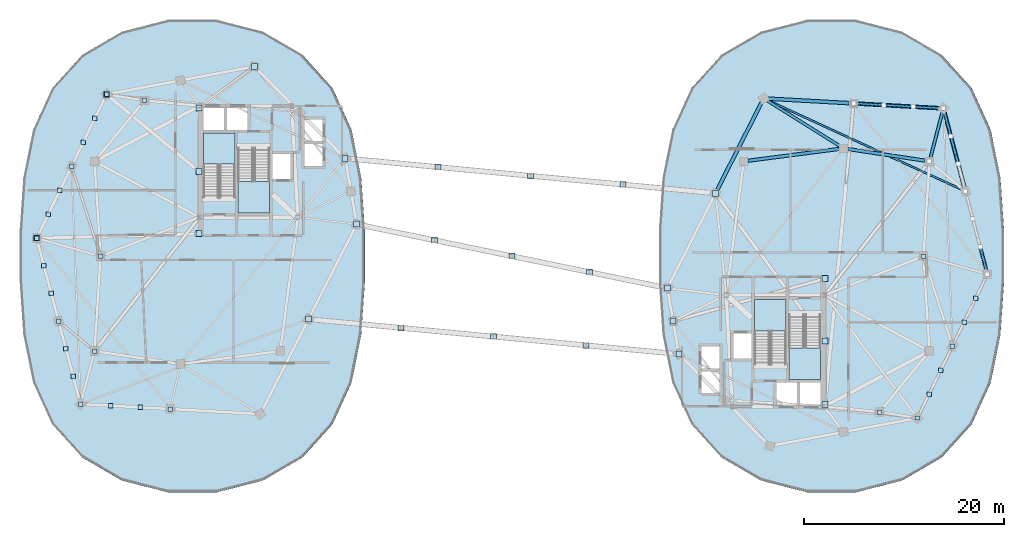
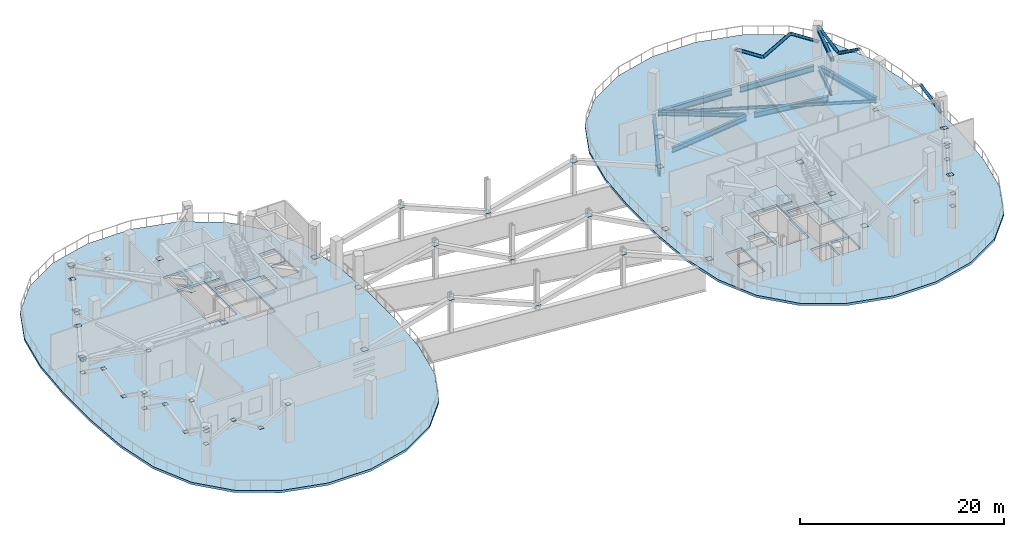
# One storey, part 6 of 16: 65 plates, 9 beams, 7 members, 6 slabs, 4 elements without a shape of their own.
"""IFC4 building model written with IfcOpenShell, lengths in metres."""

from ifc_helpers import new_model, si_unit, direction, frame, origin, origin_2d, place, context, subcontext, project, spatial, polyline, rectangle, hollow_rectangle, hollow_circle, i_section, outline, extrude, material, layer, layer_set, material_profile, profile_set, type_object, element, aggregate, save


model = new_model("IFC4")

# Units and contexts
model_context = context("Model", 3, precision=1e-05, world=origin(), true_north=direction((0.0, 1.0)))
body_context = subcontext(model_context, "Body", "Model", "MODEL_VIEW")
ifc_project = project(units=[si_unit("LENGTHUNIT", "METRE"), si_unit("AREAUNIT", "SQUARE_METRE"), si_unit("VOLUMEUNIT", "CUBIC_METRE"), si_unit("PLANEANGLEUNIT", "RADIAN"), si_unit("MASSUNIT", "GRAM", prefix="KILO"), si_unit("THERMODYNAMICTEMPERATUREUNIT", "KELVIN"), si_unit("POWERUNIT", "WATT")], contexts=[model_context])

# Site, building, storey
site_placement = place(None, origin())
site = spatial("IfcSite", under=ifc_project, at=site_placement, CompositionType="ELEMENT")
building_placement = place(site_placement, origin())
building = spatial("IfcBuilding", under=site, at=building_placement, Name="Cundina Bronze Exchange", CompositionType="ELEMENT")
storey_placement = place(building_placement, frame((0.0, 0.0, 235.0)))
storey = spatial("IfcBuildingStorey", under=building, at=storey_placement, Name="L62", CompositionType="ELEMENT", Elevation=235.0)

# Beams
ifc_material_1 = material(Name="Steel ASTM A992 Grade 50", Category="steel")
ifc_material_profile_1 = material_profile(ifc_material_1, i_section(OverallWidth=0.280029296875, OverallDepth=0.462890625, WebThickness=0.0107421875, FlangeThickness=0.017333984375, FilletRadius=0.011962890625, at=origin_2d()), Name="W18X76", Category="steel")
ifc_profile_set_1 = profile_set([ifc_material_profile_1], Name="Steel ASTM A992 Grade 50")
beam_type_1 = type_object("IfcBeamType", Name="BM-FLR-W18A", PredefinedType="BEAM", material=ifc_profile_set_1)
beam_1_placement = place(storey_placement, frame((41.911865234375, 9.923583984375, -0.511474609375), z_axis=(0.255398602339, 0.96683584642, 0.0), x_axis=(-0.96683584642, 0.255398602339, 0.0)))
element("IfcBeam", 1, at=beam_1_placement, inside=storey, type_object=beam_type_1, Name="L62 Leg E Chordal Floor Beam 10", PredefinedType="BEAM", context=body_context, shape_type="SweptSolid", body=[
    extrude(i_section(OverallWidth=0.280029296875, OverallDepth=0.462890625, WebThickness=0.0107421875, FlangeThickness=0.017333984375, FilletRadius=0.011962890625, at=origin_2d()), origin(), (0.0, 0.0, 1.0), 4.605712890625),
])
beam_2_placement = place(storey_placement, frame((32.82861328125, 11.031982421875, -0.511474609375), z_axis=(-0.847995098703, 0.530004068452, 0.0), x_axis=(-0.530004068452, -0.847995098703, 0.0)))
element("IfcBeam", 2, at=beam_2_placement, inside=storey, type_object=beam_type_1, Name="L62 Leg E Chordal Floor Beam 12", PredefinedType="BEAM", context=body_context, shape_type="SweptSolid", body=[
    extrude(i_section(OverallWidth=0.280029296875, OverallDepth=0.462890625, WebThickness=0.0107421875, FlangeThickness=0.017333984375, FilletRadius=0.011962890625, at=origin_2d()), origin(), (0.0, 0.0, 1.0), 8.55810546875),
])
ifc_material_profile_2 = material_profile(ifc_material_1, i_section(OverallWidth=0.172119140625, OverallDepth=0.35791015625, WebThickness=0.0078125, FlangeThickness=0.01318359375, FilletRadius=0.010009765625, at=origin_2d()), Name="W14X38", Category="steel")
ifc_profile_set_2 = profile_set([ifc_material_profile_2], Name="Steel ASTM A992 Grade 50")
beam_type_2 = type_object("IfcBeamType", Name="BM-JST-W14", PredefinedType="JOIST", material=ifc_profile_set_2)
beam_3_placement = place(storey_placement, frame((45.002197265625, 6.68310546875, -0.458984375), z_axis=(-0.908355026127, 0.418199888224, 0.0), x_axis=(-0.418199888224, -0.908355026127, 0.0)))
element("IfcBeam", 3, at=beam_3_placement, inside=storey, type_object=beam_type_2, Name="L62 Leg E Lobe Floor Joist 09-12", PredefinedType="JOIST", context=body_context, shape_type="SweptSolid", body=[
    extrude(i_section(OverallWidth=0.172119140625, OverallDepth=0.35791015625, WebThickness=0.0078125, FlangeThickness=0.01318359375, FilletRadius=0.010009765625, at=origin_2d()), origin(), (0.0, 0.0, 1.0), 21.362060546875),
])
ifc_material_profile_3 = material_profile(ifc_material_1, i_section(OverallWidth=0.324951171875, OverallDepth=0.615966796875, WebThickness=0.013916015625, FlangeThickness=0.021484375, FilletRadius=0.01611328125, at=origin_2d()), Name="W24X117", Category="steel")
ifc_profile_set_3 = profile_set([ifc_material_profile_3], Name="Steel ASTM A992 Grade 50")
beam_type_3 = type_object("IfcBeamType", Name="BM-RING-W24", PredefinedType="USERDEFINED", material=ifc_profile_set_3)
beam_4_placement = place(storey_placement, frame((41.366943359375, 9.5654296875, -0.587890625), z_axis=(-0.988764903598, 0.149478979839, 0.0), x_axis=(-0.149478979839, -0.988764903598, 0.0)))
element("IfcBeam", 4, at=beam_4_placement, inside=storey, type_object=beam_type_3, Name="L62 E Inner Structural Ring Girder 05", ObjectType="GIRDER", PredefinedType="USERDEFINED", context=body_context, shape_type="SweptSolid", body=[
    extrude(i_section(OverallWidth=0.324951171875, OverallDepth=0.615966796875, WebThickness=0.013916015625, FlangeThickness=0.021484375, FilletRadius=0.01611328125, at=origin_2d()), origin(), (0.0, 0.0, 1.0), 7.82177734375),
])
beam_5_placement = place(storey_placement, frame((32.765625, 10.743408203125, -0.587890625), z_axis=(-0.991656498582, -0.128908451316, 0.0), x_axis=(0.128908451316, -0.991656498582, 0.0)))
element("IfcBeam", 5, at=beam_5_placement, inside=storey, type_object=beam_type_3, Name="L62 E Inner Structural Ring Girder 06", ObjectType="GIRDER", PredefinedType="USERDEFINED", context=body_context, shape_type="SweptSolid", body=[
    extrude(i_section(OverallWidth=0.324951171875, OverallDepth=0.615966796875, WebThickness=0.013916015625, FlangeThickness=0.021484375, FilletRadius=0.01611328125, at=origin_2d()), origin(), (0.0, 0.0, 1.0), 9.208251953125),
])
ifc_material_profile_4 = material_profile(ifc_material_1, i_section(OverallWidth=0.35498046875, OverallDepth=0.695068359375, WebThickness=0.015380859375, FlangeThickness=0.02490234375, FilletRadius=0.01806640625, at=origin_2d()), Name="W27X146", Category="steel")
ifc_profile_set_4 = profile_set([ifc_material_profile_4], Name="Steel ASTM A992 Grade 50")
beam_type_4 = type_object("IfcBeamType", Name="BM-RING-W27", PredefinedType="USERDEFINED", material=ifc_profile_set_4)
beam_6_placement = place(storey_placement, frame((45.287841796875, 6.92333984375, -0.62744140625), z_axis=(-0.256211934474, 0.966620631185, 0.0), x_axis=(-0.966620631185, -0.256211934474, 0.0)))
element("IfcBeam", 6, at=beam_6_placement, inside=storey, type_object=beam_type_4, Name="L62 E Perimeter Ring Girder 09", ObjectType="GIRDER", PredefinedType="USERDEFINED", context=body_context, shape_type="SweptSolid", body=[
    extrude(i_section(OverallWidth=0.35498046875, OverallDepth=0.695068359375, WebThickness=0.015380859375, FlangeThickness=0.02490234375, FilletRadius=0.01806640625, at=origin_2d()), origin(), (0.0, 0.0, 1.0), 7.710693359375),
])
for number, where, z_axis, x_axis, name in (
    (7, (42.7626953125, 14.82421875, -0.62744140625), (-0.998460353205, 0.055470019623, 0.0), (-0.055470019623, -0.998460353205, 0.0), "L62 E Perimeter Ring Girder 10"),
    (8, (33.7626953125, 15.32421875, -0.62744140625), (-0.998460353205, 0.055470019623, 0.0), (-0.055470019623, -0.998460353205, 0.0), "L62 E Perimeter Ring Girder 11"),
):
    element("IfcBeam", number, at=place(storey_placement, frame(where, z_axis=z_axis, x_axis=x_axis)), inside=storey, type_object=beam_type_4, Name=name, ObjectType="GIRDER", PredefinedType="USERDEFINED", context=body_context, shape_type="SweptSolid", body=[
        extrude(i_section(OverallWidth=0.35498046875, OverallDepth=0.695068359375, WebThickness=0.015380859375, FlangeThickness=0.02490234375, FilletRadius=0.01806640625, at=origin_2d()), origin(), (0.0, 0.0, 1.0), 8.137939453125),
    ])
beam_7_placement = place(storey_placement, frame((25.001708984375, 15.409423828125, -0.62744140625), z_axis=(-0.452846871434, -0.891588308039, 0.0), x_axis=(0.891588308039, -0.452846871434, 0.0)))
element("IfcBeam", 9, at=beam_7_placement, inside=storey, type_object=beam_type_4, Name="L62 E Perimeter Ring Girder 12", ObjectType="GIRDER", PredefinedType="USERDEFINED", context=body_context, shape_type="SweptSolid", body=[
    extrude(i_section(OverallWidth=0.35498046875, OverallDepth=0.695068359375, WebThickness=0.015380859375, FlangeThickness=0.02490234375, FilletRadius=0.01806640625, at=origin_2d()), origin(), (0.0, 0.0, 1.0), 9.779052734375),
])

# Members
ifc_material_2 = material(Name="Steel ASTM A500 Grade C", Category="steel")
ifc_material_profile_5 = material_profile(ifc_material_2, hollow_circle(Radius=0.162109375, WallThickness=0.01611328125, at=origin_2d()), Name="CHS324X16", Category="steel")
ifc_profile_set_5 = profile_set([ifc_material_profile_5], Name="Steel ASTM A500 Grade C")
member_type_1 = type_object("IfcMemberType", Name="MBR-BLT-CHS324", PredefinedType="BRACE", material=ifc_profile_set_5)
member_1_placement = place(storey_placement, frame((47.60009765625, -1.800048828125, 2.409912109375), z_axis=(-0.213809470648, 0.806625409736, 0.551036258906), x_axis=(-0.966618915213, -0.256218408303, 0.0)))
element("IfcMember", 10, at=member_1_placement, inside=storey, type_object=member_type_1, Name="L62 E Perimeter Belt M-Truss Diagonal 1A", PredefinedType="BRACE", context=body_context, shape_type="SweptSolid", body=[
    extrude(hollow_circle(Radius=0.162109375, WallThickness=0.01611328125, at=origin_2d()), origin(), (0.0, 0.0, 1.0), 3.43017578125),
])
member_2_placement = place(storey_placement, frame((44.666748046875, 9.2666015625, 4.300048828125), z_axis=(-0.213821746286, 0.806600542248, -0.551067896054), x_axis=(-0.966613315255, -0.256239533977, 0.0)))
element("IfcMember", 11, at=member_2_placement, inside=storey, type_object=member_type_1, Name="L62 E Perimeter Belt M-Truss Diagonal 3B", PredefinedType="BRACE", context=body_context, shape_type="SweptSolid", body=[
    extrude(hollow_circle(Radius=0.162109375, WallThickness=0.01611328125, at=origin_2d()), origin(), (0.0, 0.0, 1.0), 3.429931640625),
])
member_3_placement = place(storey_placement, frame((43.933349609375, 12.033203125, 2.409912109375), z_axis=(-0.213809470648, 0.806625409736, 0.551036258906), x_axis=(-0.966618915213, -0.256218408303, 0.0)))
element("IfcMember", 12, at=member_3_placement, inside=storey, type_object=member_type_1, Name="L62 E Perimeter Belt M-Truss Diagonal 3C", PredefinedType="BRACE", context=body_context, shape_type="SweptSolid", body=[
    extrude(hollow_circle(Radius=0.162109375, WallThickness=0.01611328125, at=origin_2d()), origin(), (0.0, 0.0, 1.0), 3.43017578125),
])
for number, where, z_axis, x_axis, name in (
    (13, (43.199951171875, 14.800048828125, 2.409912109375), (-0.845140111269, 0.046975154297, 0.5324767856), (-0.055497021194, -0.998458852752, 0.0), "L62 E Perimeter Belt M-Truss Diagonal 5A"),
    (14, (40.199951171875, 14.966796875, 4.300048828125), (-0.845142839798, 0.046906528055, -0.532478504697), (-0.055416016115, -0.998463351935, 0.0), "L62 E Perimeter Belt M-Truss Diagonal 5B"),
    (15, (37.199951171875, 15.13330078125, 2.409912109375), (-0.845140111269, 0.046975154297, 0.5324767856), (-0.055497021194, -0.998458852752, 0.0), "L62 E Perimeter Belt M-Truss Diagonal 5C"),
):
    element("IfcMember", number, at=place(storey_placement, frame(where, z_axis=z_axis, x_axis=x_axis)), inside=storey, type_object=member_type_1, Name=name, PredefinedType="BRACE", context=body_context, shape_type="SweptSolid", body=[
        extrude(hollow_circle(Radius=0.162109375, WallThickness=0.01611328125, at=origin_2d()), origin(), (0.0, 0.0, 1.0), 3.5498046875),
    ])
ifc_material_profile_6 = material_profile(ifc_material_2, hollow_rectangle(XDim=0.300048828125, YDim=0.300048828125, WallThickness=0.01611328125, at=origin_2d()), Name="HSS300X300X16", Category="steel")
ifc_profile_set_6 = profile_set([ifc_material_profile_6], Name="Steel ASTM A500 Grade C")
member_type_2 = type_object("IfcMemberType", Name="MBR-BLT-HSS300", PredefinedType="STRUT", material=ifc_profile_set_6)
member_4_placement = place(storey_placement, frame((41.800048828125, 9.5, 3.889892578125), z_axis=(0.255372270734, 0.966842801773, 0.0), x_axis=(-0.966842801773, 0.255372270734, 0.0)))
element("IfcMember", 16, at=member_4_placement, inside=storey, type_object=member_type_2, Name="L62 E Outrigger Collector Strut 5", PredefinedType="STRUT", context=body_context, shape_type="SweptSolid", body=[
    extrude(hollow_rectangle(XDim=0.300048828125, YDim=0.300048828125, WallThickness=0.01611328125, at=origin_2d()), origin(), (0.0, 0.0, 1.0), 5.481689453125),
])

# Plates
ifc_material_3 = material(Name="Steel ASTM A572 Grade 50", Category="steel")
ifc_layer_1 = layer(ifc_material_3, 0.02001953125, Name="Steel ASTM A572 Grade 50", Category="steel")
ifc_layer_set_1 = layer_set([ifc_layer_1], Name="Steel ASTM A572 Grade 50")
plate_type_1 = type_object("IfcPlateType", Name="PLT-CAP-STL20", PredefinedType="USERDEFINED", material=ifc_layer_set_1)
for number, where, z_axis, x_axis, name in (
    (17, (-47.60009765625, 1.800048828125, 2.39990234375), (0.0, 0.0, 1.0), (1.0, 0.0, 0.0), "L62 W Perimeter Belt M-Truss Diagonal 1A End Cap Plate 1"),
    (18, (-46.86669921875, -0.966796875, 4.2900390625), (0.0, 0.0, 1.0), (1.0, 0.0, 0.0), "L62 W Perimeter Belt M-Truss Diagonal 1A End Cap Plate 2"),
    (19, (-46.13330078125, -3.7333984375, 2.39990234375), (0.0, 0.0, 1.0), (1.0, 0.0, 0.0), "L62 W Perimeter Belt M-Truss Diagonal 1B End Cap Plate 2"),
    (20, (-45.39990234375, -6.5, 4.2900390625), (0.0, 0.0, 1.0), (1.0, 0.0, 0.0), "L62 W Perimeter Belt M-Truss Diagonal 1C End Cap Plate 2"),
    (21, (-41.199951171875, 0.0, 3.8798828125), (0.0, 0.0, 1.0), (1.0, 0.0, 0.0), "L62 W Outrigger Collector Strut 1 End Cap Plate 1"),
    (22, (-47.60009765625, 1.800048828125, 3.8798828125), (0.0, 0.0, 1.0), (1.0, 0.0, 0.0), "L62 W Outrigger Collector Strut 1 End Cap Plate 2"),
    (23, (-44.10009765625, 9.0, 2.39990234375), (0.0, 0.0, 1.0), (1.0, 0.0, 0.0), "L62 W Perimeter Belt M-Truss Diagonal 2A End Cap Plate 1"),
    (24, (-45.2666015625, 6.60009765625, 4.2900390625), (0.0, 0.0, 1.0), (1.0, 0.0, 0.0), "L62 W Perimeter Belt M-Truss Diagonal 2A End Cap Plate 2"),
    (25, (-46.433349609375, 4.199951171875, 2.39990234375), (0.0, 0.0, 1.0), (1.0, 0.0, 0.0), "L62 W Perimeter Belt M-Truss Diagonal 2B End Cap Plate 2"),
    (26, (-47.60009765625, 1.800048828125, 4.2900390625), (0.0, 0.0, 1.0), (1.0, 0.0, 0.0), "L62 W Perimeter Belt M-Truss Diagonal 2C End Cap Plate 2"),
    (27, (-44.10009765625, 9.0, 3.8798828125), (0.0, 0.0, 1.0), (1.0, 0.0, 0.0), "L62 W Outrigger Collector Strut 2 End Cap Plate 2"),
    (28, (-45.39990234375, -6.5, 2.39990234375), (0.0, 0.0, 1.0), (1.0, 0.0, 0.0), "L62 W Perimeter Belt M-Truss Diagonal 3A End Cap Plate 1"),
    (29, (-44.666748046875, -9.2666015625, 4.2900390625), (0.0, 0.0, 1.0), (1.0, 0.0, 0.0), "L62 W Perimeter Belt M-Truss Diagonal 3A End Cap Plate 2"),
    (30, (-43.933349609375, -12.033203125, 2.39990234375), (0.0, 0.0, 1.0), (1.0, 0.0, 0.0), "L62 W Perimeter Belt M-Truss Diagonal 3B End Cap Plate 2"),
    (31, (-43.199951171875, -14.800048828125, 4.2900390625), (0.0, 0.0, 1.0), (1.0, 0.0, 0.0), "L62 W Perimeter Belt M-Truss Diagonal 3C End Cap Plate 2"),
    (32, (-41.800048828125, -9.5, 3.8798828125), (0.0, 0.0, 1.0), (1.0, 0.0, 0.0), "L62 W Outrigger Collector Strut 3 End Cap Plate 1"),
    (33, (-45.39990234375, -6.5, 3.8798828125), (0.0, 0.0, 1.0), (1.0, 0.0, 0.0), "L62 W Outrigger Collector Strut 3 End Cap Plate 2"),
    (34, (-40.60009765625, 16.199951171875, 2.39990234375), (0.0, 0.0, 1.0), (1.0, 0.0, 0.0), "L62 W Perimeter Belt M-Truss Diagonal 4A End Cap Plate 1"),
    (35, (-41.7666015625, 13.800048828125, 4.2900390625), (0.0, 0.0, 1.0), (1.0, 0.0, 0.0), "L62 W Perimeter Belt M-Truss Diagonal 4A End Cap Plate 2"),
    (36, (-42.933349609375, 11.39990234375, 2.39990234375), (0.0, 0.0, 1.0), (1.0, 0.0, 0.0), "L62 W Perimeter Belt M-Truss Diagonal 4B End Cap Plate 2"),
    (37, (-44.10009765625, 9.0, 4.2900390625), (0.0, 0.0, 1.0), (1.0, 0.0, 0.0), "L62 W Perimeter Belt M-Truss Diagonal 4C End Cap Plate 2"),
    (38, (-36.800048828125, 15.60009765625, 3.8798828125), (0.0, 0.0, 1.0), (1.0, 0.0, 0.0), "L62 W Outrigger Collector Strut 4 End Cap Plate 1"),
    (39, (-40.60009765625, 16.199951171875, 3.8798828125), (0.0, 0.0, 1.0), (1.0, 0.0, 0.0), "L62 W Outrigger Collector Strut 4 End Cap Plate 2"),
    (40, (-43.199951171875, -14.800048828125, 2.39990234375), (0.0, 0.0, 1.0), (1.0, 0.0, 0.0), "L62 W Perimeter Belt M-Truss Diagonal 5A End Cap Plate 1"),
    (41, (-40.199951171875, -14.966796875, 4.2900390625), (0.0, 0.0, 1.0), (1.0, 0.0, 0.0), "L62 W Perimeter Belt M-Truss Diagonal 5A End Cap Plate 2"),
    (42, (-37.199951171875, -15.13330078125, 2.39990234375), (0.0, 0.0, 1.0), (1.0, 0.0, 0.0), "L62 W Perimeter Belt M-Truss Diagonal 5B End Cap Plate 2"),
    (43, (-34.199951171875, -15.300048828125, 4.2900390625), (0.0, 0.0, 1.0), (1.0, 0.0, 0.0), "L62 W Perimeter Belt M-Truss Diagonal 5C End Cap Plate 2"),
    (44, (-43.199951171875, -14.800048828125, 3.8798828125), (0.0, 0.0, 1.0), (1.0, 0.0, 0.0), "L62 W Outrigger Collector Strut 5 End Cap Plate 2"),
    (45, (41.199951171875, 0.0, 3.8798828125), (0.0, 0.0, 1.0), (1.0, 0.0, 0.0), "L62 E Outrigger Collector Strut 1 End Cap Plate 1"),
    (46, (44.10009765625, -9.0, 2.39990234375), (0.0, 0.0, 1.0), (1.0, 0.0, 0.0), "L62 E Perimeter Belt M-Truss Diagonal 2A End Cap Plate 1"),
    (47, (45.2666015625, -6.60009765625, 4.2900390625), (0.0, 0.0, 1.0), (1.0, 0.0, 0.0), "L62 E Perimeter Belt M-Truss Diagonal 2A End Cap Plate 2"),
    (48, (46.433349609375, -4.199951171875, 2.39990234375), (0.0, 0.0, 1.0), (1.0, 0.0, 0.0), "L62 E Perimeter Belt M-Truss Diagonal 2B End Cap Plate 2"),
    (49, (44.10009765625, -9.0, 3.8798828125), (0.0, 0.0, 1.0), (1.0, 0.0, 0.0), "L62 E Outrigger Collector Strut 2 End Cap Plate 2"),
    (50, (40.60009765625, -16.199951171875, 2.39990234375), (0.0, 0.0, 1.0), (1.0, 0.0, 0.0), "L62 E Perimeter Belt M-Truss Diagonal 4A End Cap Plate 1"),
    (51, (41.7666015625, -13.800048828125, 4.2900390625), (0.0, 0.0, 1.0), (1.0, 0.0, 0.0), "L62 E Perimeter Belt M-Truss Diagonal 4A End Cap Plate 2"),
    (52, (42.933349609375, -11.39990234375, 2.39990234375), (0.0, 0.0, 1.0), (1.0, 0.0, 0.0), "L62 E Perimeter Belt M-Truss Diagonal 4B End Cap Plate 2"),
    (53, (44.10009765625, -9.0, 4.2900390625), (0.0, 0.0, 1.0), (1.0, 0.0, 0.0), "L62 E Perimeter Belt M-Truss Diagonal 4C End Cap Plate 2"),
    (54, (36.800048828125, -15.60009765625, 3.8798828125), (0.0, 0.0, 1.0), (1.0, 0.0, 0.0), "L62 E Outrigger Collector Strut 4 End Cap Plate 1"),
    (55, (40.60009765625, -16.199951171875, 3.8798828125), (0.0, 0.0, 1.0), (1.0, 0.0, 0.0), "L62 E Outrigger Collector Strut 4 End Cap Plate 2"),
):
    element("IfcPlate", number, at=place(storey_placement, frame(where, z_axis=z_axis, x_axis=x_axis)), inside=storey, type_object=plate_type_1, Name=name, ObjectType="STIFFENER_PLATE", PredefinedType="USERDEFINED", context=body_context, shape_type="SweptSolid", body=[
        extrude(rectangle(XDim=0.449951171875, YDim=0.449951171875, at=origin_2d()), origin(), (0.0, 0.0, 1.0), 0.02001953125),
    ])
ifc_layer_2 = layer(ifc_material_3, 0.02490234375, Name="Steel ASTM A572 Grade 50", Category="steel")
ifc_layer_set_2 = layer_set([ifc_layer_2], Name="Steel ASTM A572 Grade 50")
plate_type_2 = type_object("IfcPlateType", Name="PLT-CAP-STL25", PredefinedType="USERDEFINED", material=ifc_layer_set_2)
for number, where, z_axis, x_axis, name in (
    (56, (-31.35009765625, 14.85009765625, 2.4375), (0.0, 0.0, 1.0), (1.0, 0.0, 0.0), "L62 W Outrigger Truss Diagonal 1 End Cap Plate 1"),
    (57, (-25.800048828125, 19.0, 4.12744140625), (0.0, 0.0, 1.0), (1.0, 0.0, 0.0), "L62 W Outrigger Truss Diagonal 1 End Cap Plate 2"),
    (58, (-31.35009765625, 8.5, 2.4375), (0.0, 0.0, 1.0), (1.0, 0.0, 0.0), "L62 W Outrigger Truss Diagonal 2 End Cap Plate 1"),
    (59, (-40.60009765625, 16.199951171875, 4.12744140625), (0.0, 0.0, 1.0), (1.0, 0.0, 0.0), "L62 W Outrigger Truss Diagonal 2 End Cap Plate 2"),
    (60, (-31.35009765625, 2.25, 2.4375), (0.0, 0.0, 1.0), (1.0, 0.0, 0.0), "L62 W Outrigger Truss Diagonal 3 End Cap Plate 1"),
    (61, (-47.60009765625, 1.800048828125, 4.12744140625), (0.0, 0.0, 1.0), (1.0, 0.0, 0.0), "L62 W Outrigger Truss Diagonal 3 End Cap Plate 2"),
    (62, (31.35009765625, -14.85009765625, 2.4375), (0.0, 0.0, 1.0), (1.0, 0.0, 0.0), "L62 E Outrigger Truss Diagonal 1 End Cap Plate 1"),
    (63, (31.35009765625, -8.5, 2.4375), (0.0, 0.0, 1.0), (1.0, 0.0, 0.0), "L62 E Outrigger Truss Diagonal 2 End Cap Plate 1"),
    (64, (20.375, 6.300048828125, 4.12744140625), (0.0, 0.0, 1.0), (1.0, 0.0, 0.0), "L62 E Outrigger Truss Diagonal 2 End Cap Plate 2"),
    (65, (31.35009765625, -2.25, 2.4375), (0.0, 0.0, 1.0), (1.0, 0.0, 0.0), "L62 E Outrigger Truss Diagonal 3 End Cap Plate 1"),
    (66, (16.125, -6.5, 4.12744140625), (0.0, 0.0, 1.0), (1.0, 0.0, 0.0), "L62 E Outrigger Truss Diagonal 3 End Cap Plate 2"),
    (67, (-20.375, -6.300048828125, 0.53759765625), (0.0, 0.0, 1.0), (1.0, 0.0, 0.0), "L62 Sky-Gate Warren Truss Diagonal Y1-P1 End Cap Plate 1"),
    (68, (-11.106201171875, -7.175048828125, 3.91748046875), (0.0, 0.0, 1.0), (1.0, 0.0, 0.0), "L62 Sky-Gate Warren Truss Diagonal Y1-P1 End Cap Plate 2"),
    (69, (-1.83740234375, -8.050048828125, 0.53759765625), (0.0, 0.0, 1.0), (1.0, 0.0, 0.0), "L62 Sky-Gate Warren Truss Diagonal Y1-P2 End Cap Plate 2"),
    (70, (7.431396484375, -8.925048828125, 3.91748046875), (0.0, 0.0, 1.0), (1.0, 0.0, 0.0), "L62 Sky-Gate Warren Truss Diagonal Y1-P3 End Cap Plate 2"),
    (71, (16.699951171875, -9.800048828125, 0.53759765625), (0.0, 0.0, 1.0), (1.0, 0.0, 0.0), "L62 Sky-Gate Warren Truss Diagonal Y1-P4 End Cap Plate 2"),
    (72, (-15.550048828125, 3.199951171875, 0.53759765625), (0.0, 0.0, 1.0), (1.0, 0.0, 0.0), "L62 Sky-Gate Warren Truss Diagonal Y2-P1 End Cap Plate 1"),
    (73, (-7.77490234375, 1.60009765625, 3.91748046875), (0.0, 0.0, 1.0), (1.0, 0.0, 0.0), "L62 Sky-Gate Warren Truss Diagonal Y2-P1 End Cap Plate 2"),
    (74, (0.0, 0.0, 0.53759765625), (0.0, 0.0, 1.0), (1.0, 0.0, 0.0), "L62 Sky-Gate Warren Truss Diagonal Y2-P2 End Cap Plate 2"),
    (75, (7.77490234375, -1.60009765625, 3.91748046875), (0.0, 0.0, 1.0), (1.0, 0.0, 0.0), "L62 Sky-Gate Warren Truss Diagonal Y2-P3 End Cap Plate 2"),
    (76, (15.550048828125, -3.199951171875, 0.53759765625), (0.0, 0.0, 1.0), (1.0, 0.0, 0.0), "L62 Sky-Gate Warren Truss Diagonal Y2-P4 End Cap Plate 2"),
    (77, (-16.699951171875, 9.800048828125, 0.53759765625), (0.0, 0.0, 1.0), (1.0, 0.0, 0.0), "L62 Sky-Gate Warren Truss Diagonal Y3-P1 End Cap Plate 1"),
    (78, (-7.43115234375, 8.925048828125, 3.91748046875), (0.0, 0.0, 1.0), (1.0, 0.0, 0.0), "L62 Sky-Gate Warren Truss Diagonal Y3-P1 End Cap Plate 2"),
    (79, (1.83740234375, 8.050048828125, 0.53759765625), (0.0, 0.0, 1.0), (1.0, 0.0, 0.0), "L62 Sky-Gate Warren Truss Diagonal Y3-P2 End Cap Plate 2"),
    (80, (11.106201171875, 7.175048828125, 3.91748046875), (0.0, 0.0, 1.0), (1.0, 0.0, 0.0), "L62 Sky-Gate Warren Truss Diagonal Y3-P3 End Cap Plate 2"),
    (81, (20.375, 6.300048828125, 0.53759765625), (0.0, 0.0, 1.0), (1.0, 0.0, 0.0), "L62 Sky-Gate Warren Truss Diagonal Y3-P4 End Cap Plate 2"),
):
    element("IfcPlate", number, at=place(storey_placement, frame(where, z_axis=z_axis, x_axis=x_axis)), inside=storey, type_object=plate_type_2, Name=name, ObjectType="STIFFENER_PLATE", PredefinedType="USERDEFINED", context=body_context, shape_type="SweptSolid", body=[
        extrude(rectangle(XDim=0.60009765625, YDim=0.60009765625, at=origin_2d()), origin(), (0.0, 0.0, 1.0), 0.02490234375),
    ])

# Stair, slab
ifc_material_4 = material(Name="Concrete C40/50", Category="concrete")
stair_type = type_object("IfcStairType", Name="STR-REF-460", PredefinedType="HALF_TURN_STAIR", material=ifc_material_4)
stair_1_placement = place(storey_placement, origin())
stair_1 = element("IfcStair", 82, at=stair_1_placement, inside=storey, type_object=stair_type, Name="L62 Smokeproof Exit Stair W1", PredefinedType="HALF_TURN_STAIR")
ifc_layer_3 = layer(ifc_material_4, 0.199951171875, Name="Concrete C40/50", Category="concrete")
ifc_layer_set_3 = layer_set([ifc_layer_3], Name="Concrete C40/50")
slab_type_1 = type_object("IfcSlabType", Name="SLB-LND-200", PredefinedType="LANDING", material=ifc_layer_set_3)
slab_1_placement = place(storey_placement, frame((0.0, 0.0, 2.10009765625)))
slab_1 = element("IfcSlab", 83, at=slab_1_placement, type_object=slab_type_1, Name="ST-W1 landing 1", PredefinedType="LANDING", context=body_context, shape_type="SweptSolid", body=[
    extrude(outline(polyline([(-27.739990234375, 9.2099609375), (-27.739990234375, 12.35009765625), (-30.89990234375, 12.35009765625), (-30.89990234375, 9.2099609375), (-27.739990234375, 9.2099609375)])), origin(), (0.0, 0.0, 1.0), 0.199951171875),
])
aggregate(stair_1, [slab_1])

stair_2_placement = place(storey_placement, origin())
stair_2 = element("IfcStair", 84, at=stair_2_placement, inside=storey, type_object=stair_type, Name="L62 Smokeproof Exit Stair W2", PredefinedType="HALF_TURN_STAIR")
slab_2_placement = place(storey_placement, frame((0.0, 0.0, 2.10009765625)))
slab_2 = element("IfcSlab", 85, at=slab_2_placement, type_object=slab_type_1, Name="ST-W2 landing 1", PredefinedType="LANDING", context=body_context, shape_type="SweptSolid", body=[
    extrude(outline(polyline([(-27.43994140625, 7.489990234375), (-27.43994140625, 4.35009765625), (-24.280029296875, 4.35009765625), (-24.280029296875, 7.489990234375), (-27.43994140625, 7.489990234375)])), origin(), (0.0, 0.0, 1.0), 0.199951171875),
])
aggregate(stair_2, [slab_2])

stair_3_placement = place(storey_placement, origin())
stair_3 = element("IfcStair", 86, at=stair_3_placement, inside=storey, type_object=stair_type, Name="L62 Smokeproof Exit Stair E1", PredefinedType="HALF_TURN_STAIR")
slab_3_placement = place(storey_placement, frame((0.0, 0.0, 2.10009765625)))
slab_3 = element("IfcSlab", 87, at=slab_3_placement, type_object=slab_type_1, Name="ST-E1 landing 1", PredefinedType="LANDING", context=body_context, shape_type="SweptSolid", body=[
    extrude(outline(polyline([(27.739990234375, -9.2099609375), (27.739990234375, -12.35009765625), (30.89990234375, -12.35009765625), (30.89990234375, -9.2099609375), (27.739990234375, -9.2099609375)])), origin(), (0.0, 0.0, 1.0), 0.199951171875),
])
aggregate(stair_3, [slab_3])

stair_4_placement = place(storey_placement, origin())
stair_4 = element("IfcStair", 88, at=stair_4_placement, inside=storey, type_object=stair_type, Name="L62 Smokeproof Exit Stair E2", PredefinedType="HALF_TURN_STAIR")
slab_4_placement = place(storey_placement, frame((0.0, 0.0, 2.10009765625)))
slab_4 = element("IfcSlab", 89, at=slab_4_placement, type_object=slab_type_1, Name="ST-E2 landing 1", PredefinedType="LANDING", context=body_context, shape_type="SweptSolid", body=[
    extrude(outline(polyline([(27.43994140625, -7.489990234375), (27.43994140625, -4.35009765625), (24.280029296875, -4.35009765625), (24.280029296875, -7.489990234375), (27.43994140625, -7.489990234375)])), origin(), (0.0, 0.0, 1.0), 0.199951171875),
])
aggregate(stair_4, [slab_4])

# Slabs
ifc_material_5 = material(Name="Concrete C50/60", Category="concrete")
ifc_layer_4 = layer(ifc_material_5, 0.280029296875, Name="Concrete C50/60", Category="concrete")
ifc_layer_set_4 = layer_set([ifc_layer_4], Name="Concrete C50/60")
slab_type_2 = type_object("IfcSlabType", Name="SLB-REF-280", PredefinedType="FLOOR", material=ifc_layer_set_4)
slab_5_placement = place(storey_placement, frame((0.0, 0.0, -0.280029296875)))
element("IfcSlab", 90, at=slab_5_placement, inside=storey, type_object=slab_type_2, Name="L62 Leg W Structural Floor Slab", PredefinedType="FLOOR", context=body_context, shape_type="SweptSolid", body=[
    extrude(outline(polyline([(-14.738037109375, 2.6650390625), (-15.094970703125, 7.861083984375), (-16.06494140625, 12.662109375), (-17.968017578125, 16.8291015625), (-20.9619140625, 20.152099609375), (-24.93798828125, 22.464111328125), (-29.570068359375, 23.64990234375), (-34.429931640625, 23.64990234375), (-39.06201171875, 22.464111328125), (-43.0380859375, 20.152099609375), (-46.031982421875, 16.8291015625), (-47.93505859375, 12.662109375), (-48.905029296875, 7.861083984375), (-49.261962890625, 2.6650390625), (-49.261962890625, -2.6650390625), (-48.905029296875, -7.861083984375), (-47.93505859375, -12.662109375), (-46.031982421875, -16.8291015625), (-43.0380859375, -20.152099609375), (-39.06201171875, -22.464111328125), (-34.429931640625, -23.64990234375), (-29.570068359375, -23.64990234375), (-24.93798828125, -22.464111328125), (-20.9619140625, -20.152099609375), (-17.968017578125, -16.8291015625), (-16.06494140625, -12.662109375), (-15.094970703125, -7.861083984375), (-14.738037109375, -2.6650390625), (-14.738037109375, 2.6650390625)]), holes=[polyline([(-27.739990234375, 5.85009765625), (-27.739990234375, 12.35009765625), (-30.89990234375, 12.35009765625), (-30.89990234375, 5.85009765625), (-27.739990234375, 5.85009765625)]), polyline([(-27.43994140625, 10.85009765625), (-27.43994140625, 4.35009765625), (-24.280029296875, 4.35009765625), (-24.280029296875, 10.85009765625), (-27.43994140625, 10.85009765625)]), polyline([(-23.97998046875, 10.25), (-22.179931640625, 10.25), (-22.179931640625, 7.75), (-23.97998046875, 7.75), (-23.97998046875, 10.25)]), polyline([(-30.89990234375, 14.949951171875), (-28.85009765625, 14.949951171875), (-28.85009765625, 12.64990234375), (-30.89990234375, 12.64990234375), (-30.89990234375, 14.949951171875)]), polyline([(-28.550048828125, 14.949951171875), (-26.5, 14.949951171875), (-26.5, 12.64990234375), (-28.550048828125, 12.64990234375), (-28.550048828125, 14.949951171875)]), polyline([(-20.800048828125, 13.699951171875), (-18.949951171875, 13.699951171875), (-18.949951171875, 11.449951171875), (-20.800048828125, 11.449951171875), (-20.800048828125, 13.699951171875)]), polyline([(-20.800048828125, 11.300048828125), (-18.949951171875, 11.300048828125), (-18.949951171875, 9.050048828125), (-20.800048828125, 9.050048828125), (-20.800048828125, 11.300048828125)])]), origin(), (0.0, 0.0, 1.0), 0.280029296875),
])
slab_6_placement = place(storey_placement, frame((0.0, 0.0, -0.280029296875)))
element("IfcSlab", 91, at=slab_6_placement, inside=storey, type_object=slab_type_2, Name="L62 Leg E Structural Floor Slab", PredefinedType="FLOOR", context=body_context, shape_type="SweptSolid", body=[
    extrude(outline(polyline([(49.261962890625, 2.6650390625), (48.905029296875, 7.861083984375), (47.93505859375, 12.662109375), (46.031982421875, 16.8291015625), (43.0380859375, 20.152099609375), (39.06201171875, 22.464111328125), (34.429931640625, 23.64990234375), (29.570068359375, 23.64990234375), (24.93798828125, 22.464111328125), (20.9619140625, 20.152099609375), (17.968017578125, 16.8291015625), (16.06494140625, 12.662109375), (15.094970703125, 7.861083984375), (14.738037109375, 2.6650390625), (14.738037109375, -2.6650390625), (15.094970703125, -7.861083984375), (16.06494140625, -12.662109375), (17.968017578125, -16.8291015625), (20.9619140625, -20.152099609375), (24.93798828125, -22.464111328125), (29.570068359375, -23.64990234375), (34.429931640625, -23.64990234375), (39.06201171875, -22.464111328125), (43.0380859375, -20.152099609375), (46.031982421875, -16.8291015625), (47.93505859375, -12.662109375), (48.905029296875, -7.861083984375), (49.261962890625, -2.6650390625), (49.261962890625, 2.6650390625)]), holes=[polyline([(27.739990234375, -5.85009765625), (27.739990234375, -12.35009765625), (30.89990234375, -12.35009765625), (30.89990234375, -5.85009765625), (27.739990234375, -5.85009765625)]), polyline([(27.43994140625, -10.85009765625), (27.43994140625, -4.35009765625), (24.280029296875, -4.35009765625), (24.280029296875, -10.85009765625), (27.43994140625, -10.85009765625)]), polyline([(22.179931640625, -7.75), (23.97998046875, -7.75), (23.97998046875, -10.25), (22.179931640625, -10.25), (22.179931640625, -7.75)]), polyline([(28.85009765625, -12.64990234375), (30.89990234375, -12.64990234375), (30.89990234375, -14.949951171875), (28.85009765625, -14.949951171875), (28.85009765625, -12.64990234375)]), polyline([(26.5, -12.64990234375), (28.550048828125, -12.64990234375), (28.550048828125, -14.949951171875), (26.5, -14.949951171875), (26.5, -12.64990234375)]), polyline([(18.949951171875, -11.449951171875), (20.800048828125, -11.449951171875), (20.800048828125, -13.699951171875), (18.949951171875, -13.699951171875), (18.949951171875, -11.449951171875)]), polyline([(18.949951171875, -9.050048828125), (20.800048828125, -9.050048828125), (20.800048828125, -11.300048828125), (18.949951171875, -11.300048828125), (18.949951171875, -9.050048828125)])]), origin(), (0.0, 0.0, 1.0), 0.280029296875),
])

save(model, "model.ifc")
